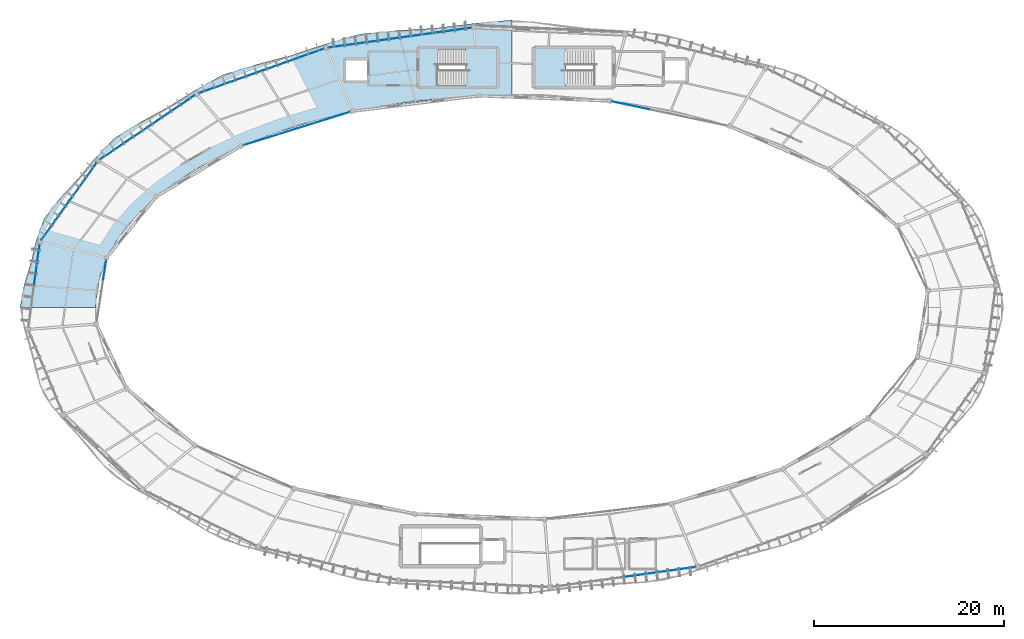
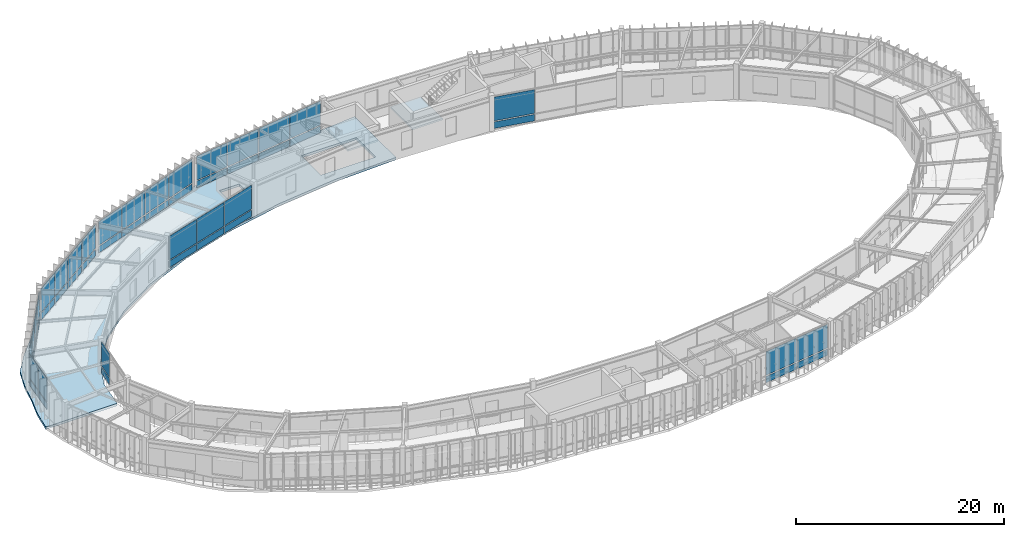
# One storey, part 65 of 78: 50 plates, 3 slabs, 11 elements without a shape of their own.
"""IFC4 building model written with IfcOpenShell, lengths in metres."""

import ifcopenshell
import ifcopenshell.guid

model = None  # the IFC model being written
_history = None  # IfcOwnerHistory: only IFC2X3 demands one
_inside = {}  # id of a spatial element -> (the spatial element, [elements in it])
_under = {}  # id of a project, library or spatial element -> (it, [spatial elements below it])
_declared = {}  # id of a project -> (the project, [libraries it declares])
_typed = {}  # id of a type object -> (the type object, [elements of that type])
_made_of = {}  # id of a material, layer set ... -> (it, [elements and type objects made of it])


def new_model(schema):
    """Start an empty IFC model of exactly this schema.

    Asked for "IFC4X3", IfcOpenShell would pick the latest addendum, in which some entities
    have other attributes; the version numbers below select the first issue.
    IFC2X3 requires an IfcOwnerHistory on every rooted entity: one is made here for all.
    """
    global model, _history
    if schema == "IFC4X3":
        model = ifcopenshell.file(schema_version=(4, 3, 0, 0))
    else:
        model = ifcopenshell.file(schema=schema)
    _inside.clear()
    _under.clear()
    _declared.clear()
    _typed.clear()
    _made_of.clear()
    _history = None
    if model.schema == "IFC2X3":
        org = make("IfcOrganization", Name="unknown")
        user = make(
            "IfcPersonAndOrganization",
            ThePerson=make("IfcPerson", FamilyName="unknown"),
            TheOrganization=org,
        )
        app = make(
            "IfcApplication",
            ApplicationDeveloper=org,
            Version="unknown",
            ApplicationFullName="unknown",
            ApplicationIdentifier="unknown",
        )
        _history = make(
            "IfcOwnerHistory",
            OwningUser=user,
            OwningApplication=app,
            ChangeAction="ADDED",
            CreationDate=0,
        )
    return model


def make(cls, **values):
    """One entity of the class cls with the attributes given. An attribute that is None is left unset."""
    return model.create_entity(
        cls, **{name: value for name, value in values.items() if value is not None}
    )


def rooted(cls, **values):
    """An entity with a GlobalId (a new one), such as an element, a storey or a relation."""
    return make(cls, GlobalId=ifcopenshell.guid.new(), OwnerHistory=_history, **values)


def si_unit(unit_type, name, prefix=None):
    """IfcSIUnit, for example si_unit("LENGTHUNIT", "METRE", prefix="MILLI")."""
    return make("IfcSIUnit", UnitType=unit_type, Prefix=prefix, Name=name)


def assignment(units):
    """IfcUnitAssignment: the units of a project."""
    return None if units is None else make("IfcUnitAssignment", Units=units)


def point(xyz):
    """IfcCartesianPoint."""
    return None if xyz is None else make("IfcCartesianPoint", Coordinates=xyz)


def direction(xyz):
    """IfcDirection."""
    return None if xyz is None else make("IfcDirection", DirectionRatios=xyz)


def frame(location, z_axis=None, x_axis=None):
    """IfcAxis2Placement3D, a coordinate frame: its origin and axes. An axis left out is left unset."""
    return make(
        "IfcAxis2Placement3D",
        Location=point(location),
        Axis=direction(z_axis),
        RefDirection=direction(x_axis),
    )


def frame_2d(location, x_axis=None):
    """IfcAxis2Placement2D, a coordinate frame in the plane: its origin and x axis."""
    return make(
        "IfcAxis2Placement2D", Location=point(location), RefDirection=direction(x_axis)
    )


def origin():
    """The frame at (0, 0, 0) with its axes left unset."""
    return frame((0.0, 0.0, 0.0))


def origin_2d():
    """The frame at (0, 0) in the plane with its x axis left unset."""
    return frame_2d((0.0, 0.0))


def place(relative_to, where):
    """IfcLocalPlacement: puts the frame where relative to a parent placement (None: the world)."""
    return make(
        "IfcLocalPlacement", PlacementRelTo=relative_to, RelativePlacement=where
    )


def context(
    kind, dimensions, precision=None, world=None, true_north=None, identifier=None
):
    """IfcGeometricRepresentationContext, for example the 3D "Model" context."""
    return make(
        "IfcGeometricRepresentationContext",
        ContextIdentifier=identifier,
        ContextType=kind,
        CoordinateSpaceDimension=dimensions,
        Precision=precision,
        WorldCoordinateSystem=world,
        TrueNorth=true_north,
    )


def subcontext(parent, identifier, kind, view, scale=None):
    """IfcGeometricRepresentationSubContext, for example "Body" below "Model"."""
    return make(
        "IfcGeometricRepresentationSubContext",
        ContextIdentifier=identifier,
        ContextType=kind,
        ParentContext=parent,
        TargetScale=scale,
        TargetView=view,
    )


def project(units=None, contexts=None):
    """IfcProject with its units and contexts."""
    return rooted(
        "IfcProject",
        Name="project",
        RepresentationContexts=contexts,
        UnitsInContext=assignment(units),
    )


def spatial(cls, under=None, at=None, **own):
    """A site, building, storey or space (cls), placed at a placement, below another one or the project."""
    s = rooted(cls, ObjectPlacement=at, **own)
    if under is not None:
        _under.setdefault(under.id(), (under, []))[1].append(s)
    return s


def polyline(points):
    """IfcPolyline through the points."""
    return make("IfcPolyline", Points=[point(p) for p in points])


def profile(cls, at=None, kind="AREA", **sizes):
    """A parametric profile (cls). Its sizes go by their IFC names, for example OverallWidth=200.0."""
    return make(cls, ProfileType=kind, Position=at, **sizes)


def rectangle(**sizes):
    """IfcRectangleProfileDef."""
    return profile("IfcRectangleProfileDef", **sizes)


def outline(outer, holes=None, kind="AREA"):
    """IfcArbitraryClosedProfileDef: a profile drawn as a closed curve; with holes, ...WithVoids."""
    if holes is None:
        return make("IfcArbitraryClosedProfileDef", ProfileType=kind, OuterCurve=outer)
    return make(
        "IfcArbitraryProfileDefWithVoids",
        ProfileType=kind,
        OuterCurve=outer,
        InnerCurves=holes,
    )


def extrude(swept, where, along, depth):
    """IfcExtrudedAreaSolid: the profile swept, set in the frame where, extruded along a direction by depth."""
    return make(
        "IfcExtrudedAreaSolid",
        SweptArea=swept,
        Position=where,
        ExtrudedDirection=direction(along),
        Depth=depth,
    )


def shape(context_of_items, identifier, shape_type, items):
    """IfcShapeRepresentation: the items that make up one representation, for example the "Body"."""
    return make(
        "IfcShapeRepresentation",
        ContextOfItems=context_of_items,
        RepresentationIdentifier=identifier,
        RepresentationType=shape_type,
        Items=items,
    )


def material(Name=None, Category=None):
    """IfcMaterial."""
    return make("IfcMaterial", Name=Name, Category=Category)


def layer(
    of_material, thickness, ventilated=None, Name=None, Category=None, Priority=None
):
    """IfcMaterialLayer: one layer of a wall or slab, of a material (None: an air gap)."""
    return make(
        "IfcMaterialLayer",
        Material=of_material,
        LayerThickness=thickness,
        IsVentilated=ventilated,
        Name=Name,
        Category=Category,
        Priority=Priority,
    )


def layer_set(layers, Name=None):
    """IfcMaterialLayerSet."""
    return make("IfcMaterialLayerSet", MaterialLayers=layers, LayerSetName=Name)


def made_of(thing, what):
    """Note that an element or type object is made of a material, layer set ...; save() writes the relation."""
    if what is not None:
        _made_of.setdefault(what.id(), (what, []))[1].append(thing)
    return thing


def type_object(cls, material=None, **own):
    """A type object (cls), such as IfcWallType, which elements share."""
    return made_of(rooted(cls, **own), material)


def element(
    cls,
    number,
    at=None,
    inside=None,
    cuts=None,
    type_object=None,
    material=None,
    context=None,
    identifier="Body",
    shape_type=None,
    held_by="IfcProductDefinitionShape",
    body=None,
    shapes=None,
    **own,
):
    """One element of the class cls, such as IfcWall. Its Tag is "e" and its number.

    at: its placement. inside: the storey or other place that contains it. cuts: it is an
    opening in that element (IfcRelVoidsElement). A single representation is given by context,
    identifier, shape_type and body (its items); several are given by shapes. held_by: the class
    of the entity that holds the representations. save() writes the other relations.
    """
    e = rooted(cls, Tag="e%d" % number, ObjectPlacement=at, **own)
    if body is not None:
        shapes = [shape(context, identifier, shape_type, body)]
    if shapes is not None:
        e.Representation = make(held_by, Representations=shapes)
    if inside is not None:
        _inside.setdefault(inside.id(), (inside, []))[1].append(e)
    if cuts is not None:
        rooted(
            "IfcRelVoidsElement", RelatingBuildingElement=cuts, RelatedOpeningElement=e
        )
    if type_object is not None:
        _typed.setdefault(type_object.id(), (type_object, []))[1].append(e)
    return made_of(e, material)


def aggregate(whole, parts):
    """IfcRelAggregates: a whole, such as a stair, and the parts it consists of."""
    return rooted("IfcRelAggregates", RelatingObject=whole, RelatedObjects=parts)


def save(model, path):
    """Write the relations noted so far, then the file.

    IfcRelAggregates (storeys below a building ...), IfcRelContainedInSpatialStructure (elements
    in a storey), IfcRelDefinesByType, IfcRelAssociatesMaterial and IfcRelDeclares: one each for
    every whole, place, type object, material and project.
    """
    for whole, parts in _under.values():
        aggregate(whole, parts)
    for where, things in _inside.values():
        rooted(
            "IfcRelContainedInSpatialStructure",
            RelatedElements=things,
            RelatingStructure=where,
        )
    for kind, things in _typed.values():
        rooted("IfcRelDefinesByType", RelatedObjects=things, RelatingType=kind)
    for what, things in _made_of.values():
        rooted("IfcRelAssociatesMaterial", RelatedObjects=things, RelatingMaterial=what)
    for by, libraries in _declared.values():
        rooted("IfcRelDeclares", RelatingContext=by, RelatedDefinitions=libraries)
    model.write(path)


model = new_model("IFC4")

# Units and contexts
model_context = context("Model", 3, precision=1e-05, world=origin(), true_north=direction((0.0, 1.0)))
body_context = subcontext(model_context, "Body", "Model", "MODEL_VIEW")
ifc_project = project(units=[si_unit("LENGTHUNIT", "METRE"), si_unit("AREAUNIT", "SQUARE_METRE"), si_unit("VOLUMEUNIT", "CUBIC_METRE"), si_unit("PLANEANGLEUNIT", "RADIAN"), si_unit("MASSUNIT", "GRAM", prefix="KILO"), si_unit("THERMODYNAMICTEMPERATUREUNIT", "KELVIN"), si_unit("POWERUNIT", "WATT")], contexts=[model_context])

# Site, building, storey
site_placement = place(None, origin())
site = spatial("IfcSite", under=ifc_project, at=site_placement, CompositionType="ELEMENT")
building_placement = place(site_placement, origin())
building = spatial("IfcBuilding", under=site, at=building_placement, Name="Darbajah Civic Hall", CompositionType="ELEMENT")
storey_placement = place(building_placement, frame((0.0, 0.0, 26.39990234375)))
storey = spatial("IfcBuildingStorey", under=building, at=storey_placement, Name="L06", CompositionType="ELEMENT", Elevation=26.39990234375)

# Curtain wall, plates
ifc_material_1 = material(Name="Anodised Bronze Aluminium and Low-E Glazing", Category="aluminium")
curtain_wall_type_1 = type_object("IfcCurtainWallType", Name="Unitised Curtain Wall CW-32 15200x3900", PredefinedType="USERDEFINED", material=ifc_material_1)
curtain_wall_1_placement = place(storey_placement, origin())
curtain_wall_1 = element("IfcCurtainWall", 1, at=curtain_wall_1_placement, inside=storey, type_object=curtain_wall_type_1, Name="L06 unitised curtain wall CW-V1O-L06-05", ObjectType="UNITISED CURTAIN WALL", PredefinedType="USERDEFINED")
ifc_material_2 = material(Name="Low-E Solar Control Double Glazing", Category="glass")
ifc_layer_1 = layer(ifc_material_2, 0.02392578125, Name="Low-E Solar Control Double Glazing")
ifc_layer_set_1 = layer_set([ifc_layer_1], Name="Low-E Solar Control Double Glazing")
plate_type_1 = type_object("IfcPlateType", Name="Solar Double Glazing 24mm", PredefinedType="CURTAIN_PANEL", material=ifc_layer_set_1)
plate_1_placement = place(storey_placement, frame((82.971923828125, 118.913818359375, 0.10009765625), z_axis=(0.0, 0.0, 1.0), x_axis=(-0.990485459553, -0.137617420457, 0.0)))
plate_1 = element("IfcPlate", 2, at=plate_1_placement, type_object=plate_type_1, Name="CW-V1O-L06-05 glazed panel 1.1", PredefinedType="CURTAIN_PANEL", context=body_context, shape_type="SweptSolid", body=[
    extrude(rectangle(XDim=3.72509765625, YDim=0.02392578125, at=origin_2d()), origin(), (0.0, 0.0, 1.0), 0.800048828125),
])
plate_2_placement = place(storey_placement, frame((82.971923828125, 118.913818359375, 1.0), z_axis=(0.0, 0.0, 1.0), x_axis=(-0.990485459553, -0.137617420457, 0.0)))
plate_2 = element("IfcPlate", 3, at=plate_2_placement, type_object=plate_type_1, Name="CW-V1O-L06-05 glazed panel 1.2", PredefinedType="CURTAIN_PANEL", context=body_context, shape_type="SweptSolid", body=[
    extrude(rectangle(XDim=3.72509765625, YDim=0.02392578125, at=origin_2d()), origin(), (0.0, 0.0, 1.0), 2.820068359375),
])
plate_3_placement = place(storey_placement, frame((79.2177734375, 118.392333984375, 0.10009765625), z_axis=(0.0, 0.0, 1.0), x_axis=(-0.990485459553, -0.137617420457, 0.0)))
plate_3 = element("IfcPlate", 4, at=plate_3_placement, type_object=plate_type_1, Name="CW-V1O-L06-05 glazed panel 2.1", PredefinedType="CURTAIN_PANEL", context=body_context, shape_type="SweptSolid", body=[
    extrude(rectangle(XDim=3.72509765625, YDim=0.02392578125, at=origin_2d()), origin(), (0.0, 0.0, 1.0), 0.800048828125),
])
plate_4_placement = place(storey_placement, frame((79.2177734375, 118.392333984375, 1.0), z_axis=(0.0, 0.0, 1.0), x_axis=(-0.990485459553, -0.137617420457, 0.0)))
plate_4 = element("IfcPlate", 5, at=plate_4_placement, type_object=plate_type_1, Name="CW-V1O-L06-05 glazed panel 2.2", PredefinedType="CURTAIN_PANEL", context=body_context, shape_type="SweptSolid", body=[
    extrude(rectangle(XDim=3.72509765625, YDim=0.02392578125, at=origin_2d()), origin(), (0.0, 0.0, 1.0), 2.820068359375),
])
plate_5_placement = place(storey_placement, frame((75.4638671875, 117.87109375, 0.10009765625), z_axis=(0.0, 0.0, 1.0), x_axis=(-0.990485459553, -0.137617420457, 0.0)))
plate_5 = element("IfcPlate", 6, at=plate_5_placement, type_object=plate_type_1, Name="CW-V1O-L06-05 glazed panel 3.1", PredefinedType="CURTAIN_PANEL", context=body_context, shape_type="SweptSolid", body=[
    extrude(rectangle(XDim=3.72509765625, YDim=0.02392578125, at=origin_2d()), origin(), (0.0, 0.0, 1.0), 0.800048828125),
])
plate_6_placement = place(storey_placement, frame((75.4638671875, 117.87109375, 1.0), z_axis=(0.0, 0.0, 1.0), x_axis=(-0.990485459553, -0.137617420457, 0.0)))
plate_6 = element("IfcPlate", 7, at=plate_6_placement, type_object=plate_type_1, Name="CW-V1O-L06-05 glazed panel 3.2", PredefinedType="CURTAIN_PANEL", context=body_context, shape_type="SweptSolid", body=[
    extrude(rectangle(XDim=3.72509765625, YDim=0.02392578125, at=origin_2d()), origin(), (0.0, 0.0, 1.0), 2.820068359375),
])
plate_7_placement = place(storey_placement, frame((71.709716796875, 117.349853515625, 0.10009765625), z_axis=(0.0, 0.0, 1.0), x_axis=(-0.990485459553, -0.137617420457, 0.0)))
plate_7 = element("IfcPlate", 8, at=plate_7_placement, type_object=plate_type_1, Name="CW-V1O-L06-05 glazed panel 4.1", PredefinedType="CURTAIN_PANEL", context=body_context, shape_type="SweptSolid", body=[
    extrude(rectangle(XDim=3.72509765625, YDim=0.02392578125, at=origin_2d()), origin(), (0.0, 0.0, 1.0), 0.800048828125),
])
plate_8_placement = place(storey_placement, frame((71.709716796875, 117.349853515625, 1.0), z_axis=(0.0, 0.0, 1.0), x_axis=(-0.990485459553, -0.137617420457, 0.0)))
plate_8 = element("IfcPlate", 9, at=plate_8_placement, type_object=plate_type_1, Name="CW-V1O-L06-05 glazed panel 4.2", PredefinedType="CURTAIN_PANEL", context=body_context, shape_type="SweptSolid", body=[
    extrude(rectangle(XDim=3.72509765625, YDim=0.02392578125, at=origin_2d()), origin(), (0.0, 0.0, 1.0), 2.820068359375),
])
aggregate(curtain_wall_1, [plate_1, plate_2, plate_3, plate_4, plate_5, plate_6, plate_7, plate_8])

curtain_wall_type_2 = type_object("IfcCurtainWallType", Name="Unitised Curtain Wall CW-88 10000x3900", PredefinedType="USERDEFINED", material=ifc_material_1)
curtain_wall_2_placement = place(storey_placement, origin())
curtain_wall_2 = element("IfcCurtainWall", 10, at=curtain_wall_2_placement, inside=storey, type_object=curtain_wall_type_2, Name="L06 unitised curtain wall CW-V1O-L06-08", ObjectType="UNITISED CURTAIN WALL", PredefinedType="USERDEFINED")
plate_9_placement = place(storey_placement, frame((44.7421875, 103.994140625, 0.10009765625), z_axis=(0.0, 0.0, 1.0), x_axis=(-0.582264874145, -0.812999149039, 0.0)))
plate_9 = element("IfcPlate", 11, at=plate_9_placement, type_object=plate_type_1, Name="CW-V1O-L06-08 glazed panel 1.1", PredefinedType="CURTAIN_PANEL", context=body_context, shape_type="SweptSolid", body=[
    extrude(rectangle(XDim=2.430908203125, YDim=0.02392578125, at=origin_2d()), origin(), (0.0, 0.0, 1.0), 0.800048828125),
])
plate_10_placement = place(storey_placement, frame((44.7421875, 103.994140625, 1.0), z_axis=(0.0, 0.0, 1.0), x_axis=(-0.582264874145, -0.812999149039, 0.0)))
plate_10 = element("IfcPlate", 12, at=plate_10_placement, type_object=plate_type_1, Name="CW-V1O-L06-08 glazed panel 1.2", PredefinedType="CURTAIN_PANEL", context=body_context, shape_type="SweptSolid", body=[
    extrude(rectangle(XDim=2.430908203125, YDim=0.02392578125, at=origin_2d()), origin(), (0.0, 0.0, 1.0), 2.820068359375),
])
plate_11_placement = place(storey_placement, frame((43.288818359375, 101.96484375, 0.10009765625), z_axis=(0.0, 0.0, 1.0), x_axis=(-0.582264874145, -0.812999149039, 0.0)))
plate_11 = element("IfcPlate", 13, at=plate_11_placement, type_object=plate_type_1, Name="CW-V1O-L06-08 glazed panel 2.1", PredefinedType="CURTAIN_PANEL", context=body_context, shape_type="SweptSolid", body=[
    extrude(rectangle(XDim=2.430908203125, YDim=0.02392578125, at=origin_2d()), origin(), (0.0, 0.0, 1.0), 0.800048828125),
])
plate_12_placement = place(storey_placement, frame((43.288818359375, 101.96484375, 1.0), z_axis=(0.0, 0.0, 1.0), x_axis=(-0.582264874145, -0.812999149039, 0.0)))
plate_12 = element("IfcPlate", 14, at=plate_12_placement, type_object=plate_type_1, Name="CW-V1O-L06-08 glazed panel 2.2", PredefinedType="CURTAIN_PANEL", context=body_context, shape_type="SweptSolid", body=[
    extrude(rectangle(XDim=2.430908203125, YDim=0.02392578125, at=origin_2d()), origin(), (0.0, 0.0, 1.0), 2.820068359375),
])
plate_13_placement = place(storey_placement, frame((41.835693359375, 99.935546875, 0.10009765625), z_axis=(0.0, 0.0, 1.0), x_axis=(-0.582264874145, -0.812999149039, 0.0)))
plate_13 = element("IfcPlate", 15, at=plate_13_placement, type_object=plate_type_1, Name="CW-V1O-L06-08 glazed panel 3.1", PredefinedType="CURTAIN_PANEL", context=body_context, shape_type="SweptSolid", body=[
    extrude(rectangle(XDim=2.430908203125, YDim=0.02392578125, at=origin_2d()), origin(), (0.0, 0.0, 1.0), 0.800048828125),
])
plate_14_placement = place(storey_placement, frame((41.835693359375, 99.935546875, 1.0), z_axis=(0.0, 0.0, 1.0), x_axis=(-0.582264874145, -0.812999149039, 0.0)))
plate_14 = element("IfcPlate", 16, at=plate_14_placement, type_object=plate_type_1, Name="CW-V1O-L06-08 glazed panel 3.2", PredefinedType="CURTAIN_PANEL", context=body_context, shape_type="SweptSolid", body=[
    extrude(rectangle(XDim=2.430908203125, YDim=0.02392578125, at=origin_2d()), origin(), (0.0, 0.0, 1.0), 2.820068359375),
])
plate_15_placement = place(storey_placement, frame((40.38232421875, 97.906005859375, 0.10009765625), z_axis=(0.0, 0.0, 1.0), x_axis=(-0.582264874145, -0.812999149039, 0.0)))
plate_15 = element("IfcPlate", 17, at=plate_15_placement, type_object=plate_type_1, Name="CW-V1O-L06-08 glazed panel 4.1", PredefinedType="CURTAIN_PANEL", context=body_context, shape_type="SweptSolid", body=[
    extrude(rectangle(XDim=2.430908203125, YDim=0.02392578125, at=origin_2d()), origin(), (0.0, 0.0, 1.0), 0.800048828125),
])
plate_16_placement = place(storey_placement, frame((40.38232421875, 97.906005859375, 1.0), z_axis=(0.0, 0.0, 1.0), x_axis=(-0.582264874145, -0.812999149039, 0.0)))
plate_16 = element("IfcPlate", 18, at=plate_16_placement, type_object=plate_type_1, Name="CW-V1O-L06-08 glazed panel 4.2", PredefinedType="CURTAIN_PANEL", context=body_context, shape_type="SweptSolid", body=[
    extrude(rectangle(XDim=2.430908203125, YDim=0.02392578125, at=origin_2d()), origin(), (0.0, 0.0, 1.0), 2.820068359375),
])
aggregate(curtain_wall_2, [plate_9, plate_10, plate_11, plate_12, plate_13, plate_14, plate_15, plate_16])

curtain_wall_type_3 = type_object("IfcCurtainWallType", Name="Unitised Curtain Wall CW-65 12400x3900", PredefinedType="USERDEFINED", material=ifc_material_1)
curtain_wall_3_placement = place(storey_placement, origin())
curtain_wall_3 = element("IfcCurtainWall", 19, at=curtain_wall_3_placement, inside=storey, type_object=curtain_wall_type_3, Name="L06 unitised curtain wall CW-V1I-L06-03", ObjectType="UNITISED CURTAIN WALL", PredefinedType="USERDEFINED")
ifc_layer_2 = layer(ifc_material_2, 0.028076171875, Name="Low-E Solar Control Double Glazing")
ifc_layer_set_2 = layer_set([ifc_layer_2], Name="Low-E Solar Control Double Glazing")
plate_type_2 = type_object("IfcPlateType", Name="Solar Double Glazing 28mm", PredefinedType="CURTAIN_PANEL", material=ifc_layer_set_2)
plate_17_placement = place(storey_placement, frame((101.599365234375, 111.004150390625, 0.1201171875), z_axis=(0.0, 0.0, 1.0), x_axis=(-0.978472980779, 0.206374964291, 0.0)))
plate_17 = element("IfcPlate", 20, at=plate_17_placement, type_object=plate_type_2, Name="CW-V1I-L06-03 glazed panel 3.1", PredefinedType="CURTAIN_PANEL", context=body_context, shape_type="SweptSolid", body=[
    extrude(rectangle(XDim=4.074951171875, YDim=0.028076171875, at=origin_2d()), origin(), (0.0, 0.0, 1.0), 0.77001953125),
])
plate_18_placement = place(storey_placement, frame((101.599365234375, 111.004150390625, 1.010009765625), z_axis=(0.0, 0.0, 1.0), x_axis=(-0.978472980779, 0.206374964291, 0.0)))
plate_18 = element("IfcPlate", 21, at=plate_18_placement, type_object=plate_type_2, Name="CW-V1I-L06-03 glazed panel 3.2", PredefinedType="CURTAIN_PANEL", context=body_context, shape_type="SweptSolid", body=[
    extrude(rectangle(XDim=4.074951171875, YDim=0.028076171875, at=origin_2d()), origin(), (0.0, 0.0, 1.0), 2.7900390625),
])
aggregate(curtain_wall_3, [plate_17, plate_18])

curtain_wall_type_4 = type_object("IfcCurtainWallType", Name="Unitised Curtain Wall CW-67 11700x3900", PredefinedType="USERDEFINED", material=ifc_material_1)
curtain_wall_4_placement = place(storey_placement, origin())
curtain_wall_4 = element("IfcCurtainWall", 22, at=curtain_wall_4_placement, inside=storey, type_object=curtain_wall_type_4, Name="L06 unitised curtain wall CW-V1I-L06-06", ObjectType="UNITISED CURTAIN WALL", PredefinedType="USERDEFINED")
plate_19_placement = place(storey_placement, frame((70.230712890625, 109.744873046875, 0.1201171875), z_axis=(0.0, 0.0, 1.0), x_axis=(-0.954604963513, -0.297874744877, 0.0)))
plate_19 = element("IfcPlate", 23, at=plate_19_placement, type_object=plate_type_2, Name="CW-V1I-L06-06 glazed panel 1.1", PredefinedType="CURTAIN_PANEL", context=body_context, shape_type="SweptSolid", body=[
    extrude(rectangle(XDim=3.841796875, YDim=0.028076171875, at=origin_2d()), origin(), (0.0, 0.0, 1.0), 0.77001953125),
])
plate_20_placement = place(storey_placement, frame((70.230712890625, 109.744873046875, 1.010009765625), z_axis=(0.0, 0.0, 1.0), x_axis=(-0.954604963513, -0.297874744877, 0.0)))
plate_20 = element("IfcPlate", 24, at=plate_20_placement, type_object=plate_type_2, Name="CW-V1I-L06-06 glazed panel 1.2", PredefinedType="CURTAIN_PANEL", context=body_context, shape_type="SweptSolid", body=[
    extrude(rectangle(XDim=3.841796875, YDim=0.028076171875, at=origin_2d()), origin(), (0.0, 0.0, 1.0), 2.7900390625),
])
plate_21_placement = place(storey_placement, frame((66.496337890625, 108.579833984375, 0.1201171875), z_axis=(0.0, 0.0, 1.0), x_axis=(-0.954604963513, -0.297874744877, 0.0)))
plate_21 = element("IfcPlate", 25, at=plate_21_placement, type_object=plate_type_2, Name="CW-V1I-L06-06 glazed panel 2.1", PredefinedType="CURTAIN_PANEL", context=body_context, shape_type="SweptSolid", body=[
    extrude(rectangle(XDim=3.841796875, YDim=0.028076171875, at=origin_2d()), origin(), (0.0, 0.0, 1.0), 0.77001953125),
])
plate_22_placement = place(storey_placement, frame((66.496337890625, 108.579833984375, 1.010009765625), z_axis=(0.0, 0.0, 1.0), x_axis=(-0.954604963513, -0.297874744877, 0.0)))
plate_22 = element("IfcPlate", 26, at=plate_22_placement, type_object=plate_type_2, Name="CW-V1I-L06-06 glazed panel 2.2", PredefinedType="CURTAIN_PANEL", context=body_context, shape_type="SweptSolid", body=[
    extrude(rectangle(XDim=3.841796875, YDim=0.028076171875, at=origin_2d()), origin(), (0.0, 0.0, 1.0), 2.7900390625),
])
plate_23_placement = place(storey_placement, frame((62.761962890625, 107.414794921875, 0.1201171875), z_axis=(0.0, 0.0, 1.0), x_axis=(-0.954604963513, -0.297874744877, 0.0)))
plate_23 = element("IfcPlate", 27, at=plate_23_placement, type_object=plate_type_2, Name="CW-V1I-L06-06 glazed panel 3.1", PredefinedType="CURTAIN_PANEL", context=body_context, shape_type="SweptSolid", body=[
    extrude(rectangle(XDim=3.841796875, YDim=0.028076171875, at=origin_2d()), origin(), (0.0, 0.0, 1.0), 0.77001953125),
])
plate_24_placement = place(storey_placement, frame((62.761962890625, 107.414794921875, 1.010009765625), z_axis=(0.0, 0.0, 1.0), x_axis=(-0.954604963513, -0.297874744877, 0.0)))
plate_24 = element("IfcPlate", 28, at=plate_24_placement, type_object=plate_type_2, Name="CW-V1I-L06-06 glazed panel 3.2", PredefinedType="CURTAIN_PANEL", context=body_context, shape_type="SweptSolid", body=[
    extrude(rectangle(XDim=3.841796875, YDim=0.028076171875, at=origin_2d()), origin(), (0.0, 0.0, 1.0), 2.7900390625),
])
aggregate(curtain_wall_4, [plate_19, plate_20, plate_21, plate_22, plate_23, plate_24])

curtain_wall_type_5 = type_object("IfcCurtainWallType", Name="Unitised Curtain Wall CW-81 12000x3900", PredefinedType="USERDEFINED", material=ifc_material_1)
curtain_wall_5_placement = place(storey_placement, origin())
curtain_wall_5 = element("IfcCurtainWall", 29, at=curtain_wall_5_placement, inside=storey, type_object=curtain_wall_type_5, Name="L06 unitised curtain wall CW-V1O-L06-07", ObjectType="UNITISED CURTAIN WALL", PredefinedType="USERDEFINED")
plate_25_placement = place(storey_placement, frame((54.5263671875, 111.248779296875, 0.1201171875), z_axis=(0.0, 0.0, 1.0), x_axis=(-0.827962472047, -0.560783509816, 0.0)))
plate_25 = element("IfcPlate", 30, at=plate_25_placement, type_object=plate_type_2, Name="CW-V1O-L06-07 glazed panel 1.1", PredefinedType="CURTAIN_PANEL", context=body_context, shape_type="SweptSolid", body=[
    extrude(rectangle(XDim=2.932861328125, YDim=0.028076171875, at=origin_2d()), origin(), (0.0, 0.0, 1.0), 0.77001953125),
])
plate_26_placement = place(storey_placement, frame((54.5263671875, 111.248779296875, 1.010009765625), z_axis=(0.0, 0.0, 1.0), x_axis=(-0.827962472047, -0.560783509816, 0.0)))
plate_26 = element("IfcPlate", 31, at=plate_26_placement, type_object=plate_type_2, Name="CW-V1O-L06-07 glazed panel 1.2", PredefinedType="CURTAIN_PANEL", context=body_context, shape_type="SweptSolid", body=[
    extrude(rectangle(XDim=2.932861328125, YDim=0.028076171875, at=origin_2d()), origin(), (0.0, 0.0, 1.0), 2.7900390625),
])
plate_27_placement = place(storey_placement, frame((52.039794921875, 109.564697265625, 0.1201171875), z_axis=(0.0, 0.0, 1.0), x_axis=(-0.827962472047, -0.560783509816, 0.0)))
plate_27 = element("IfcPlate", 32, at=plate_27_placement, type_object=plate_type_2, Name="CW-V1O-L06-07 glazed panel 2.1", PredefinedType="CURTAIN_PANEL", context=body_context, shape_type="SweptSolid", body=[
    extrude(rectangle(XDim=2.932861328125, YDim=0.028076171875, at=origin_2d()), origin(), (0.0, 0.0, 1.0), 0.77001953125),
])
plate_28_placement = place(storey_placement, frame((52.039794921875, 109.564697265625, 1.010009765625), z_axis=(0.0, 0.0, 1.0), x_axis=(-0.827962472047, -0.560783509816, 0.0)))
plate_28 = element("IfcPlate", 33, at=plate_28_placement, type_object=plate_type_2, Name="CW-V1O-L06-07 glazed panel 2.2", PredefinedType="CURTAIN_PANEL", context=body_context, shape_type="SweptSolid", body=[
    extrude(rectangle(XDim=2.932861328125, YDim=0.028076171875, at=origin_2d()), origin(), (0.0, 0.0, 1.0), 2.7900390625),
])
plate_29_placement = place(storey_placement, frame((49.5537109375, 107.880859375, 0.1201171875), z_axis=(0.0, 0.0, 1.0), x_axis=(-0.827962472047, -0.560783509816, 0.0)))
plate_29 = element("IfcPlate", 34, at=plate_29_placement, type_object=plate_type_2, Name="CW-V1O-L06-07 glazed panel 3.1", PredefinedType="CURTAIN_PANEL", context=body_context, shape_type="SweptSolid", body=[
    extrude(rectangle(XDim=2.932861328125, YDim=0.028076171875, at=origin_2d()), origin(), (0.0, 0.0, 1.0), 0.77001953125),
])
plate_30_placement = place(storey_placement, frame((49.5537109375, 107.880859375, 1.010009765625), z_axis=(0.0, 0.0, 1.0), x_axis=(-0.827962472047, -0.560783509816, 0.0)))
plate_30 = element("IfcPlate", 35, at=plate_30_placement, type_object=plate_type_2, Name="CW-V1O-L06-07 glazed panel 3.2", PredefinedType="CURTAIN_PANEL", context=body_context, shape_type="SweptSolid", body=[
    extrude(rectangle(XDim=2.932861328125, YDim=0.028076171875, at=origin_2d()), origin(), (0.0, 0.0, 1.0), 2.7900390625),
])
plate_31_placement = place(storey_placement, frame((47.0673828125, 106.197021484375, 0.1201171875), z_axis=(0.0, 0.0, 1.0), x_axis=(-0.827962472047, -0.560783509816, 0.0)))
plate_31 = element("IfcPlate", 36, at=plate_31_placement, type_object=plate_type_2, Name="CW-V1O-L06-07 glazed panel 4.1", PredefinedType="CURTAIN_PANEL", context=body_context, shape_type="SweptSolid", body=[
    extrude(rectangle(XDim=2.932861328125, YDim=0.028076171875, at=origin_2d()), origin(), (0.0, 0.0, 1.0), 0.77001953125),
])
plate_32_placement = place(storey_placement, frame((47.0673828125, 106.197021484375, 1.010009765625), z_axis=(0.0, 0.0, 1.0), x_axis=(-0.827962472047, -0.560783509816, 0.0)))
plate_32 = element("IfcPlate", 37, at=plate_32_placement, type_object=plate_type_2, Name="CW-V1O-L06-07 glazed panel 4.2", PredefinedType="CURTAIN_PANEL", context=body_context, shape_type="SweptSolid", body=[
    extrude(rectangle(XDim=2.932861328125, YDim=0.028076171875, at=origin_2d()), origin(), (0.0, 0.0, 1.0), 2.7900390625),
])
aggregate(curtain_wall_5, [plate_25, plate_26, plate_27, plate_28, plate_29, plate_30, plate_31, plate_32])

curtain_wall_type_6 = type_object("IfcCurtainWallType", Name="Unitised Curtain Wall CW-70 6500x3900", PredefinedType="USERDEFINED", material=ifc_material_1)
curtain_wall_6_placement = place(storey_placement, origin())
curtain_wall_6 = element("IfcCurtainWall", 38, at=curtain_wall_6_placement, inside=storey, type_object=curtain_wall_type_6, Name="L06 unitised curtain wall CW-V1I-L06-09", ObjectType="UNITISED CURTAIN WALL", PredefinedType="USERDEFINED")
plate_33_placement = place(storey_placement, frame((46.305419921875, 93.6806640625, 0.1201171875), z_axis=(0.0, 0.0, 1.0), x_axis=(-0.152813355565, -0.98825506746, 0.0)))
plate_33 = element("IfcPlate", 39, at=plate_33_placement, type_object=plate_type_2, Name="CW-V1I-L06-09 glazed panel 1.1", PredefinedType="CURTAIN_PANEL", context=body_context, shape_type="SweptSolid", body=[
    extrude(rectangle(XDim=2.10791015625, YDim=0.028076171875, at=origin_2d()), origin(), (0.0, 0.0, 1.0), 0.77001953125),
])
plate_34_placement = place(storey_placement, frame((46.305419921875, 93.6806640625, 1.010009765625), z_axis=(0.0, 0.0, 1.0), x_axis=(-0.152813355565, -0.98825506746, 0.0)))
plate_34 = element("IfcPlate", 40, at=plate_34_placement, type_object=plate_type_2, Name="CW-V1I-L06-09 glazed panel 1.2", PredefinedType="CURTAIN_PANEL", context=body_context, shape_type="SweptSolid", body=[
    extrude(rectangle(XDim=2.10791015625, YDim=0.028076171875, at=origin_2d()), origin(), (0.0, 0.0, 1.0), 2.7900390625),
])
aggregate(curtain_wall_6, [plate_33, plate_34])

curtain_wall_type_7 = type_object("IfcCurtainWallType", Name="Unitised Curtain Wall CW-80 13900x3900", PredefinedType="USERDEFINED", material=ifc_material_1)
curtain_wall_7_placement = place(storey_placement, origin())
curtain_wall_7 = element("IfcCurtainWall", 41, at=curtain_wall_7_placement, inside=storey, type_object=curtain_wall_type_7, Name="L06 unitised curtain wall CW-V1O-L06-06", ObjectType="UNITISED CURTAIN WALL", PredefinedType="USERDEFINED")
ifc_layer_3 = layer(ifc_material_2, 0.031982421875, Name="Low-E Solar Control Double Glazing")
ifc_layer_set_3 = layer_set([ifc_layer_3], Name="Low-E Solar Control Double Glazing")
plate_type_3 = type_object("IfcPlateType", Name="Solar Double Glazing 32mm", PredefinedType="CURTAIN_PANEL", material=ifc_layer_set_3)
plate_35_placement = place(storey_placement, frame((67.704345703125, 116.388427734375, 0.14013671875), z_axis=(0.0, 0.0, 1.0), x_axis=(-0.94252491309, -0.334135882844, 0.0)))
plate_35 = element("IfcPlate", 42, at=plate_35_placement, type_object=plate_type_3, Name="CW-V1O-L06-06 glazed panel 1.1", PredefinedType="CURTAIN_PANEL", context=body_context, shape_type="SweptSolid", body=[
    extrude(rectangle(XDim=3.40771484375, YDim=0.031982421875, at=origin_2d()), origin(), (0.0, 0.0, 1.0), 0.739990234375),
])
plate_36_placement = place(storey_placement, frame((67.704345703125, 116.388427734375, 1.02001953125), z_axis=(0.0, 0.0, 1.0), x_axis=(-0.94252491309, -0.334135882844, 0.0)))
plate_36 = element("IfcPlate", 43, at=plate_36_placement, type_object=plate_type_3, Name="CW-V1O-L06-06 glazed panel 1.2", PredefinedType="CURTAIN_PANEL", context=body_context, shape_type="SweptSolid", body=[
    extrude(rectangle(XDim=3.40771484375, YDim=0.031982421875, at=origin_2d()), origin(), (0.0, 0.0, 1.0), 2.760009765625),
])
plate_37_placement = place(storey_placement, frame((64.421875, 115.22509765625, 0.14013671875), z_axis=(0.0, 0.0, 1.0), x_axis=(-0.94252491309, -0.334135882844, 0.0)))
plate_37 = element("IfcPlate", 44, at=plate_37_placement, type_object=plate_type_3, Name="CW-V1O-L06-06 glazed panel 2.1", PredefinedType="CURTAIN_PANEL", context=body_context, shape_type="SweptSolid", body=[
    extrude(rectangle(XDim=3.40771484375, YDim=0.031982421875, at=origin_2d()), origin(), (0.0, 0.0, 1.0), 0.739990234375),
])
plate_38_placement = place(storey_placement, frame((64.421875, 115.22509765625, 1.02001953125), z_axis=(0.0, 0.0, 1.0), x_axis=(-0.94252491309, -0.334135882844, 0.0)))
plate_38 = element("IfcPlate", 45, at=plate_38_placement, type_object=plate_type_3, Name="CW-V1O-L06-06 glazed panel 2.2", PredefinedType="CURTAIN_PANEL", context=body_context, shape_type="SweptSolid", body=[
    extrude(rectangle(XDim=3.40771484375, YDim=0.031982421875, at=origin_2d()), origin(), (0.0, 0.0, 1.0), 2.760009765625),
])
plate_39_placement = place(storey_placement, frame((61.139404296875, 114.0615234375, 0.14013671875), z_axis=(0.0, 0.0, 1.0), x_axis=(-0.94252491309, -0.334135882844, 0.0)))
plate_39 = element("IfcPlate", 46, at=plate_39_placement, type_object=plate_type_3, Name="CW-V1O-L06-06 glazed panel 3.1", PredefinedType="CURTAIN_PANEL", context=body_context, shape_type="SweptSolid", body=[
    extrude(rectangle(XDim=3.40771484375, YDim=0.031982421875, at=origin_2d()), origin(), (0.0, 0.0, 1.0), 0.739990234375),
])
plate_40_placement = place(storey_placement, frame((61.139404296875, 114.0615234375, 1.02001953125), z_axis=(0.0, 0.0, 1.0), x_axis=(-0.94252491309, -0.334135882844, 0.0)))
plate_40 = element("IfcPlate", 47, at=plate_40_placement, type_object=plate_type_3, Name="CW-V1O-L06-06 glazed panel 3.2", PredefinedType="CURTAIN_PANEL", context=body_context, shape_type="SweptSolid", body=[
    extrude(rectangle(XDim=3.40771484375, YDim=0.031982421875, at=origin_2d()), origin(), (0.0, 0.0, 1.0), 2.760009765625),
])
plate_41_placement = place(storey_placement, frame((57.85693359375, 112.89794921875, 0.14013671875), z_axis=(0.0, 0.0, 1.0), x_axis=(-0.94252491309, -0.334135882844, 0.0)))
plate_41 = element("IfcPlate", 48, at=plate_41_placement, type_object=plate_type_3, Name="CW-V1O-L06-06 glazed panel 4.1", PredefinedType="CURTAIN_PANEL", context=body_context, shape_type="SweptSolid", body=[
    extrude(rectangle(XDim=3.40771484375, YDim=0.031982421875, at=origin_2d()), origin(), (0.0, 0.0, 1.0), 0.739990234375),
])
plate_42_placement = place(storey_placement, frame((57.85693359375, 112.89794921875, 1.02001953125), z_axis=(0.0, 0.0, 1.0), x_axis=(-0.94252491309, -0.334135882844, 0.0)))
plate_42 = element("IfcPlate", 49, at=plate_42_placement, type_object=plate_type_3, Name="CW-V1O-L06-06 glazed panel 4.2", PredefinedType="CURTAIN_PANEL", context=body_context, shape_type="SweptSolid", body=[
    extrude(rectangle(XDim=3.40771484375, YDim=0.031982421875, at=origin_2d()), origin(), (0.0, 0.0, 1.0), 2.760009765625),
])
aggregate(curtain_wall_7, [plate_35, plate_36, plate_37, plate_38, plate_39, plate_40, plate_41, plate_42])

curtain_wall_type_8 = type_object("IfcCurtainWallType", Name="Unitised Curtain Wall CW-89 8800x3900", PredefinedType="USERDEFINED", material=ifc_material_1)
curtain_wall_8_placement = place(storey_placement, origin())
curtain_wall_8 = element("IfcCurtainWall", 50, at=curtain_wall_8_placement, inside=storey, type_object=curtain_wall_type_8, Name="L06 unitised curtain wall CW-V1O-L06-09", ObjectType="UNITISED CURTAIN WALL", PredefinedType="USERDEFINED")
plate_43_placement = place(storey_placement, frame((39.3271484375, 95.34912109375, 0.14013671875), z_axis=(0.0, 0.0, 1.0), x_axis=(-0.134850930274, -0.990865897387, 0.0)))
plate_43 = element("IfcPlate", 51, at=plate_43_placement, type_object=plate_type_3, Name="CW-V1O-L06-09 glazed panel 1.1", PredefinedType="CURTAIN_PANEL", context=body_context, shape_type="SweptSolid", body=[
    extrude(rectangle(XDim=2.12060546875, YDim=0.031982421875, at=origin_2d()), origin(), (0.0, 0.0, 1.0), 0.739990234375),
])
plate_44_placement = place(storey_placement, frame((39.3271484375, 95.34912109375, 1.02001953125), z_axis=(0.0, 0.0, 1.0), x_axis=(-0.134850930274, -0.990865897387, 0.0)))
plate_44 = element("IfcPlate", 52, at=plate_44_placement, type_object=plate_type_3, Name="CW-V1O-L06-09 glazed panel 1.2", PredefinedType="CURTAIN_PANEL", context=body_context, shape_type="SweptSolid", body=[
    extrude(rectangle(XDim=2.12060546875, YDim=0.031982421875, at=origin_2d()), origin(), (0.0, 0.0, 1.0), 2.760009765625),
])
plate_45_placement = place(storey_placement, frame((39.031005859375, 93.173583984375, 0.14013671875), z_axis=(0.0, 0.0, 1.0), x_axis=(-0.134850930274, -0.990865897387, 0.0)))
plate_45 = element("IfcPlate", 53, at=plate_45_placement, type_object=plate_type_3, Name="CW-V1O-L06-09 glazed panel 2.1", PredefinedType="CURTAIN_PANEL", context=body_context, shape_type="SweptSolid", body=[
    extrude(rectangle(XDim=2.12060546875, YDim=0.031982421875, at=origin_2d()), origin(), (0.0, 0.0, 1.0), 0.739990234375),
])
plate_46_placement = place(storey_placement, frame((39.031005859375, 93.173583984375, 1.02001953125), z_axis=(0.0, 0.0, 1.0), x_axis=(-0.134850930274, -0.990865897387, 0.0)))
plate_46 = element("IfcPlate", 54, at=plate_46_placement, type_object=plate_type_3, Name="CW-V1O-L06-09 glazed panel 2.2", PredefinedType="CURTAIN_PANEL", context=body_context, shape_type="SweptSolid", body=[
    extrude(rectangle(XDim=2.12060546875, YDim=0.031982421875, at=origin_2d()), origin(), (0.0, 0.0, 1.0), 2.760009765625),
])
aggregate(curtain_wall_8, [plate_43, plate_44, plate_45, plate_46])

curtain_wall_type_9 = type_object("IfcCurtainWallType", Name="Unitised Curtain Wall CW-91 15200x3900", PredefinedType="USERDEFINED", material=ifc_material_1)
curtain_wall_9_placement = place(storey_placement, origin())
curtain_wall_9 = element("IfcCurtainWall", 55, at=curtain_wall_9_placement, inside=storey, type_object=curtain_wall_type_9, Name="L06 unitised curtain wall CW-V1O-L06-15", ObjectType="UNITISED CURTAIN WALL", PredefinedType="USERDEFINED")
plate_47_placement = place(storey_placement, frame((102.736083984375, 61.72900390625, 0.14013671875), z_axis=(0.0, 0.0, 1.0), x_axis=(0.990485459553, 0.137617420457, 0.0)))
plate_47 = element("IfcPlate", 56, at=plate_47_placement, type_object=plate_type_3, Name="CW-V1O-L06-15 glazed panel 3.1", PredefinedType="CURTAIN_PANEL", context=body_context, shape_type="SweptSolid", body=[
    extrude(rectangle(XDim=3.715087890625, YDim=0.031982421875, at=origin_2d()), origin(), (0.0, 0.0, 1.0), 0.739990234375),
])
plate_48_placement = place(storey_placement, frame((102.736083984375, 61.72900390625, 1.02001953125), z_axis=(0.0, 0.0, 1.0), x_axis=(0.990485459553, 0.137617420457, 0.0)))
plate_48 = element("IfcPlate", 57, at=plate_48_placement, type_object=plate_type_3, Name="CW-V1O-L06-15 glazed panel 3.2", PredefinedType="CURTAIN_PANEL", context=body_context, shape_type="SweptSolid", body=[
    extrude(rectangle(XDim=3.715087890625, YDim=0.031982421875, at=origin_2d()), origin(), (0.0, 0.0, 1.0), 2.760009765625),
])
plate_49_placement = place(storey_placement, frame((106.490234375, 62.250244140625, 0.14013671875), z_axis=(0.0, 0.0, 1.0), x_axis=(0.990485459553, 0.137617420457, 0.0)))
plate_49 = element("IfcPlate", 58, at=plate_49_placement, type_object=plate_type_3, Name="CW-V1O-L06-15 glazed panel 4.1", PredefinedType="CURTAIN_PANEL", context=body_context, shape_type="SweptSolid", body=[
    extrude(rectangle(XDim=3.715087890625, YDim=0.031982421875, at=origin_2d()), origin(), (0.0, 0.0, 1.0), 0.739990234375),
])
plate_50_placement = place(storey_placement, frame((106.490234375, 62.250244140625, 1.02001953125), z_axis=(0.0, 0.0, 1.0), x_axis=(0.990485459553, 0.137617420457, 0.0)))
plate_50 = element("IfcPlate", 59, at=plate_50_placement, type_object=plate_type_3, Name="CW-V1O-L06-15 glazed panel 4.2", PredefinedType="CURTAIN_PANEL", context=body_context, shape_type="SweptSolid", body=[
    extrude(rectangle(XDim=3.715087890625, YDim=0.031982421875, at=origin_2d()), origin(), (0.0, 0.0, 1.0), 2.760009765625),
])
aggregate(curtain_wall_9, [plate_47, plate_48, plate_49, plate_50])

# Stair, slab
ifc_material_3 = material(Name="Concrete C45/55", Category="concrete")
stair_type = type_object("IfcStairType", Name="Half Turn Stair 1650x4200", PredefinedType="HALF_TURN_STAIR", material=ifc_material_3)
stair_1_placement = place(storey_placement, origin())
stair_1 = element("IfcStair", 60, at=stair_1_placement, inside=storey, type_object=stair_type, Name="L06 enclosed exit stair ST01", PredefinedType="HALF_TURN_STAIR")
ifc_layer_4 = layer(ifc_material_3, 0.199951171875, Name="Concrete C45/55")
ifc_layer_set_4 = layer_set([ifc_layer_4], Name="Concrete C45/55")
slab_type_1 = type_object("IfcSlabType", Name="Stair Landing Slab 200mm", PredefinedType="LANDING", material=ifc_layer_set_4)
slab_1_placement = place(storey_placement, frame((0.0, 0.0, 1.900146484375)))
slab_1 = element("IfcSlab", 61, at=slab_1_placement, type_object=slab_type_1, Name="ST01 L06 half-landing", PredefinedType="LANDING", context=body_context, shape_type="SweptSolid", body=[
    extrude(outline(polyline([(84.239990234375, 112.89990234375), (87.60009765625, 112.89990234375), (87.60009765625, 117.10009765625), (84.239990234375, 117.10009765625), (84.239990234375, 112.89990234375)])), origin(), (0.0, 0.0, 1.0), 0.199951171875),
])
aggregate(stair_1, [slab_1])

stair_2_placement = place(storey_placement, origin())
stair_2 = element("IfcStair", 62, at=stair_2_placement, inside=storey, type_object=stair_type, Name="L06 enclosed exit stair ST02", PredefinedType="HALF_TURN_STAIR")
slab_2_placement = place(storey_placement, frame((0.0, 0.0, 1.900146484375)))
slab_2 = element("IfcSlab", 63, at=slab_2_placement, type_object=slab_type_1, Name="ST02 L06 half-landing", PredefinedType="LANDING", context=body_context, shape_type="SweptSolid", body=[
    extrude(outline(polyline([(91.39990234375, 112.89990234375), (94.760009765625, 112.89990234375), (94.760009765625, 117.10009765625), (91.39990234375, 117.10009765625), (91.39990234375, 112.89990234375)])), origin(), (0.0, 0.0, 1.0), 0.199951171875),
])
aggregate(stair_2, [slab_2])

# Slab
ifc_layer_5 = layer(ifc_material_3, 0.280029296875, Name="Concrete C45/55")
ifc_layer_set_5 = layer_set([ifc_layer_5], Name="Concrete C45/55")
slab_type_2 = type_object("IfcSlabType", Name="Structural Floor Slab 280mm", PredefinedType="FLOOR", material=ifc_layer_set_5)
slab_3_placement = place(storey_placement, frame((0.0, 0.0, -0.27978515625)))
element("IfcSlab", 64, at=slab_3_placement, inside=storey, type_object=slab_type_2, Name="L06 Oval Administration Ring NW floor slab", PredefinedType="FLOOR", context=body_context, shape_type="SweptSolid", body=[
    extrude(outline(polyline([(89.10009765625, 119.992919921875), (85.065673828125, 119.627685546875), (81.090576171875, 119.13427734375), (77.09619140625, 118.893310546875), (73.1259765625, 118.51513671875), (69.42236328125, 117.4423828125), (65.855712890625, 116.262939453125), (62.233154296875, 115.31103515625), (58.715576171875, 114.226806640625), (55.705322265625, 112.55126953125), (52.89599609375, 110.801025390625), (50.0, 109.2314453125), (47.279541015625, 107.547119140625), (45.257080078125, 105.43310546875), (43.48046875, 103.283447265625), (41.593994140625, 101.25), (39.93701171875, 99.130126953125), (39.1005859375, 96.78466796875), (38.530517578125, 94.446044921875), (37.83837890625, 92.1474609375), (37.406982421875, 89.800048828125), (45.320068359375, 89.800048828125), (45.85888671875, 93.285400390625), (47.462646484375, 96.684814453125), (50.091796875, 99.914794921875), (53.68115234375, 102.89599609375), (58.142822265625, 105.55419921875), (63.36669921875, 107.824951171875), (69.224365234375, 109.651611328125), (75.5712890625, 110.989501953125), (82.251220703125, 111.8056640625), (89.10009765625, 112.080078125), (89.10009765625, 119.992919921875)]), holes=[polyline([(81.3798828125, 116.8798828125), (87.4599609375, 116.8798828125), (87.4599609375, 113.1201171875), (81.3798828125, 113.1201171875), (81.3798828125, 116.8798828125)]), polyline([(71.64990234375, 115.75), (73.85009765625, 115.75), (73.85009765625, 113.64990234375), (71.64990234375, 113.64990234375), (71.64990234375, 115.75)])]), origin(), (0.0, 0.0, 1.0), 0.27978515625),
])

save(model, "model.ifc")
